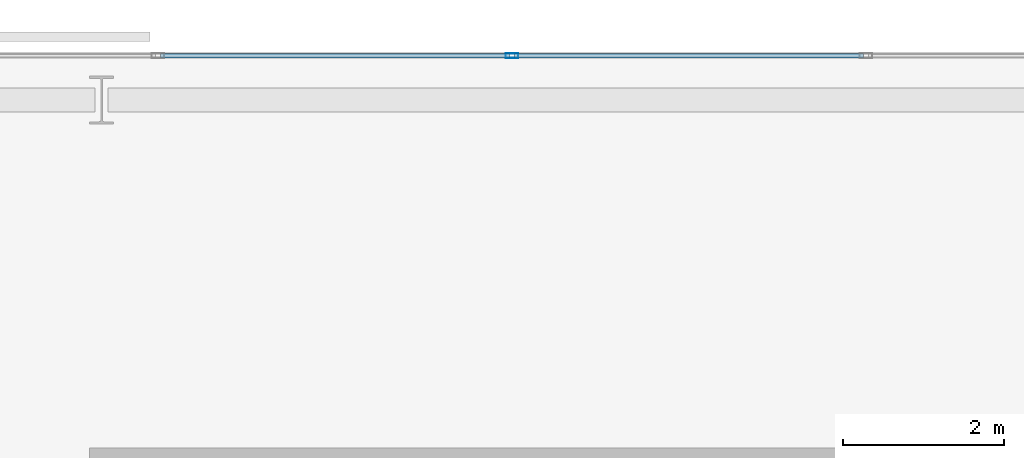
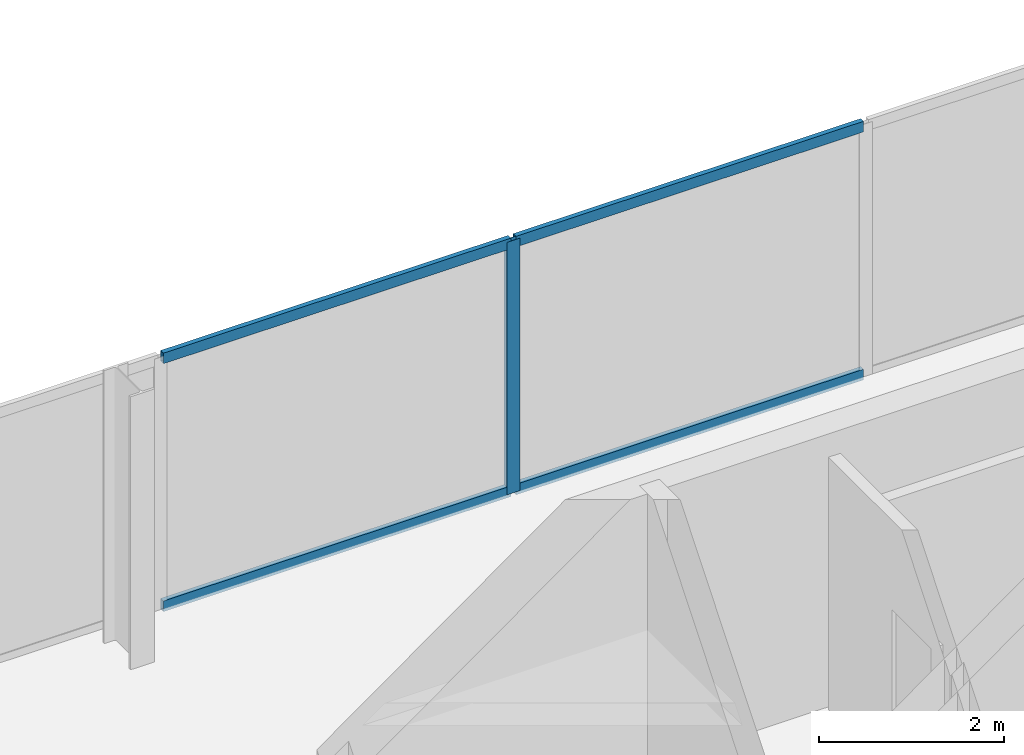
# One storey, part 20 of 32: 5 members, 1 element without a shape of its own.
"""IFC4 building model written with IfcOpenShell, lengths in metres."""

from ifc_helpers import new_model, si_unit, direction, frame, origin, origin_2d, place, context, subcontext, project, spatial, hollow_rectangle, extrude, material, layer, layer_set, material_profile, profile_set, type_object, element, aggregate, save


model = new_model("IFC4")

# Units and contexts
model_context = context("Model", 3, precision=1e-05, world=origin(), true_north=direction((0.0, 1.0)))
body_context = subcontext(model_context, "Body", "Model", "MODEL_VIEW")
ifc_project = project(units=[si_unit("LENGTHUNIT", "METRE"), si_unit("AREAUNIT", "SQUARE_METRE"), si_unit("VOLUMEUNIT", "CUBIC_METRE"), si_unit("PLANEANGLEUNIT", "RADIAN"), si_unit("MASSUNIT", "GRAM", prefix="KILO")], contexts=[model_context])

# Site, building, storey
site_placement = place(None, origin())
site = spatial("IfcSite", under=ifc_project, at=site_placement, CompositionType="ELEMENT")
building_placement = place(site_placement, origin())
building = spatial("IfcBuilding", under=site, at=building_placement, Name="Catumbela Crestline Tower", CompositionType="ELEMENT")
storey_placement = place(building_placement, frame((0.0, 0.0, 122.4)))
storey = spatial("IfcBuildingStorey", under=building, at=storey_placement, Name="L31", CompositionType="ELEMENT", Elevation=122.4)

# Curtain wall, members
ifc_material = material(Name="Aluminium alloy AW-6060-T66", Category="aluminium")
ifc_layer = layer(ifc_material, 0.18, Name="Aluminium alloy AW-6060-T66")
ifc_layer_set = layer_set([ifc_layer], Name="Aluminium alloy AW-6060-T66")
curtain_wall_type = type_object("IfcCurtainWallType", Name="CWU-Z2", PredefinedType="USERDEFINED", material=ifc_layer_set)
curtain_wall_placement = place(storey_placement, origin())
curtain_wall = element("IfcCurtainWall", 1, at=curtain_wall_placement, inside=storey, type_object=curtain_wall_type, Name="L31 Unitised Curtain Wall CW-L31-E7S1", ObjectType="UNITISED", PredefinedType="USERDEFINED")
ifc_material_profile_1 = material_profile(ifc_material, hollow_rectangle(XDim=0.06, YDim=0.16, WallThickness=0.004, at=origin_2d()), Name="ALU 160x60x4")
ifc_profile_set_1 = profile_set([ifc_material_profile_1], Name="Aluminium alloy AW-6060-T66")
member_type_1 = type_object("IfcMemberType", Name="MUL-160X60", PredefinedType="MULLION", material=ifc_profile_set_1)
member_1_placement = place(storey_placement, frame((21.1, 47.95, 0.0), z_axis=(0.0, 0.0, 1.0), x_axis=(0.0, -1.0, 0.0)))
member_1 = element("IfcMember", 2, at=member_1_placement, type_object=member_type_1, Name="CWU-Z2 mullion 7", PredefinedType="MULLION", context=body_context, shape_type="SweptSolid", body=[
    extrude(hollow_rectangle(XDim=0.06, YDim=0.16, WallThickness=0.004, at=origin_2d()), origin(), (0.0, 0.0, 1.0), 3.33),
])
ifc_material_profile_2 = material_profile(ifc_material, hollow_rectangle(XDim=0.06, YDim=0.14, WallThickness=0.004, at=origin_2d()), Name="ALU 140x60x4")
ifc_profile_set_2 = profile_set([ifc_material_profile_2], Name="Aluminium alloy AW-6060-T66")
member_type_2 = type_object("IfcMemberType", Name="TRN-140X60", PredefinedType="USERDEFINED", material=ifc_profile_set_2)
member_2_placement = place(storey_placement, frame((25.4675, 47.95, 0.03), z_axis=(-1.0, 0.0, 0.0), x_axis=(0.0, -1.0, 0.0)))
member_2 = element("IfcMember", 3, at=member_2_placement, type_object=member_type_2, Name="CWU-Z2 transom 6.1", ObjectType="TRANSOM", PredefinedType="USERDEFINED", context=body_context, shape_type="SweptSolid", body=[
    extrude(hollow_rectangle(XDim=0.06, YDim=0.14, WallThickness=0.004, at=origin_2d()), origin(), (0.0, 0.0, 1.0), 4.335),
])
member_3_placement = place(storey_placement, frame((25.4675, 47.95, 3.3), z_axis=(-1.0, 0.0, 0.0), x_axis=(0.0, -1.0, 0.0)))
member_3 = element("IfcMember", 4, at=member_3_placement, type_object=member_type_2, Name="CWU-Z2 transom 6.2", ObjectType="TRANSOM", PredefinedType="USERDEFINED", context=body_context, shape_type="SweptSolid", body=[
    extrude(hollow_rectangle(XDim=0.06, YDim=0.14, WallThickness=0.004, at=origin_2d()), origin(), (0.0, 0.0, 1.0), 4.335),
])
member_4_placement = place(storey_placement, frame((21.0675, 47.95, 0.03), z_axis=(-1.0, 0.0, 0.0), x_axis=(0.0, -1.0, 0.0)))
member_4 = element("IfcMember", 5, at=member_4_placement, type_object=member_type_2, Name="CWU-Z2 transom 7.1", ObjectType="TRANSOM", PredefinedType="USERDEFINED", context=body_context, shape_type="SweptSolid", body=[
    extrude(hollow_rectangle(XDim=0.06, YDim=0.14, WallThickness=0.004, at=origin_2d()), origin(), (0.0, 0.0, 1.0), 4.335),
])
member_5_placement = place(storey_placement, frame((21.0675, 47.95, 3.3), z_axis=(-1.0, 0.0, 0.0), x_axis=(0.0, -1.0, 0.0)))
member_5 = element("IfcMember", 6, at=member_5_placement, type_object=member_type_2, Name="CWU-Z2 transom 7.2", ObjectType="TRANSOM", PredefinedType="USERDEFINED", context=body_context, shape_type="SweptSolid", body=[
    extrude(hollow_rectangle(XDim=0.06, YDim=0.14, WallThickness=0.004, at=origin_2d()), origin(), (0.0, 0.0, 1.0), 4.335),
])
aggregate(curtain_wall, [member_1, member_2, member_3, member_4, member_5])

save(model, "model.ifc")
